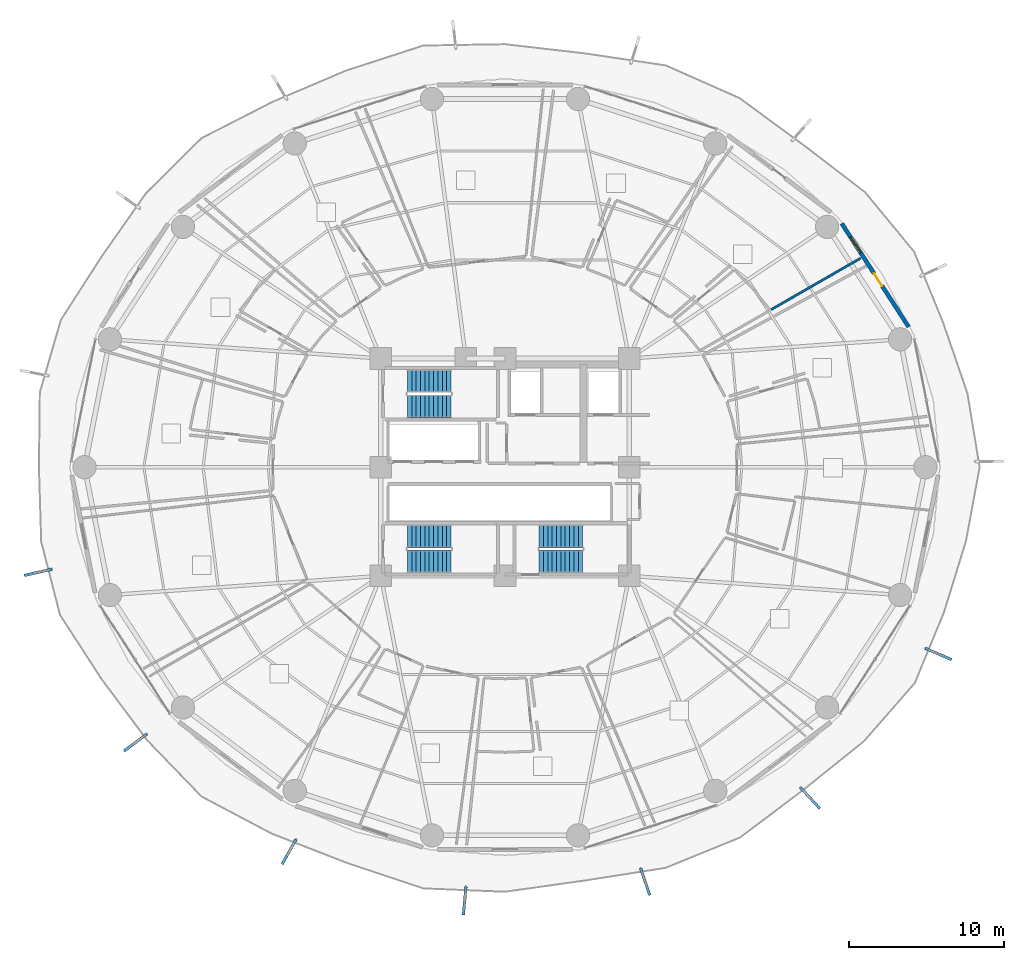
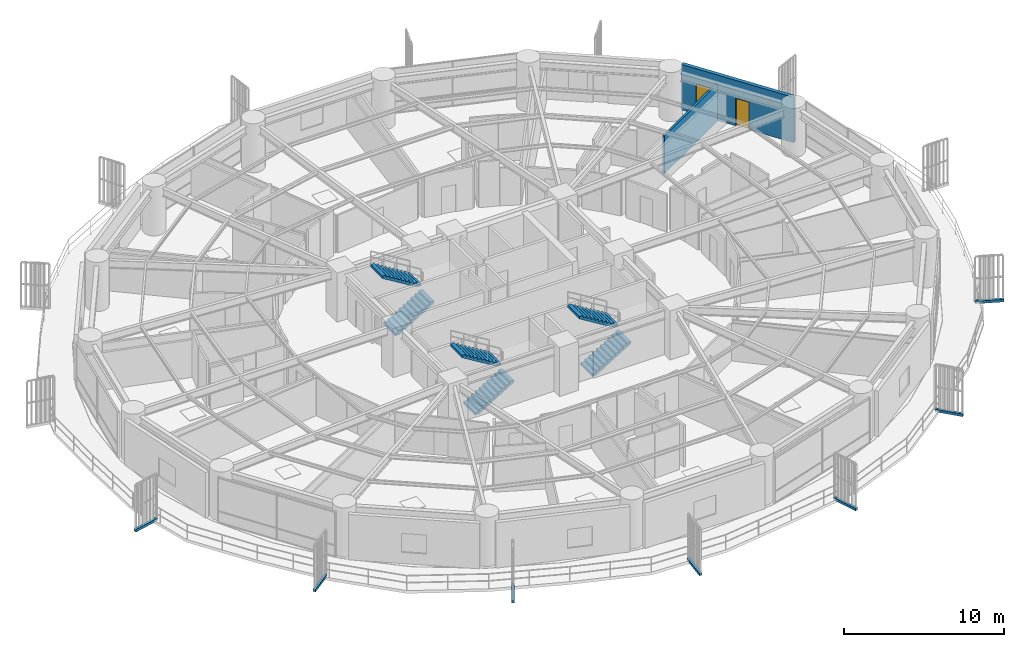
# One storey, part 26 of 32: 7 discrete accessories, 6 stair flights, 2 walls, 1 door, 1 window, 2 openings, 3 elements without a shape of their own.
"""IFC4 building model written with IfcOpenShell, lengths in metres."""

from ifc_helpers import new_model, si_unit, direction, frame, frame_2d, origin, origin_2d, place, context, subcontext, project, spatial, polyline, rectangle, outline, extrude, source, transform, mapped, material, layer, layer_set, type_object, element, fill, aggregate, save


model = new_model("IFC4")

# Units and contexts
model_context = context("Model", 3, precision=1e-05, world=origin(), true_north=direction((0.0, 1.0)))
body_context = subcontext(model_context, "Body", "Model", "MODEL_VIEW")
ifc_project = project(units=[si_unit("LENGTHUNIT", "METRE"), si_unit("AREAUNIT", "SQUARE_METRE"), si_unit("VOLUMEUNIT", "CUBIC_METRE"), si_unit("PLANEANGLEUNIT", "RADIAN"), si_unit("MASSUNIT", "GRAM", prefix="KILO")], contexts=[model_context])

# Site, building, storey
site_placement = place(None, origin())
site = spatial("IfcSite", under=ifc_project, at=site_placement, CompositionType="ELEMENT")
building_placement = place(site_placement, origin())
building = spatial("IfcBuilding", under=site, at=building_placement, Name="Kelanora Arch Commons", CompositionType="ELEMENT")
storey_placement = place(building_placement, frame((0.0, 0.0, 48.75)))
storey = spatial("IfcBuildingStorey", under=building, at=storey_placement, Name="L12", CompositionType="ELEMENT", Elevation=48.75)

# Wall
ifc_material_1 = material(Name="Autoclaved aerated concrete blockwork with fire plaster", Category="masonry")
ifc_layer_1 = layer(ifc_material_1, 0.14990234375)
ifc_layer_set_1 = layer_set([ifc_layer_1], Name="Autoclaved aerated concrete blockwork with fire plaster")
wall_type_1 = type_object("IfcWallType", Name="W-COMP-150", PredefinedType="PARTITIONING", material=ifc_layer_set_1)
wall_1_placement = place(storey_placement, frame((96.9033203125, 71.461181640625, 0.0), z_axis=(0.0, 0.0, 1.0), x_axis=(-0.866924194656, -0.498440007142, 0.0)))
element("IfcWall", 1, at=wall_1_placement, inside=storey, type_object=wall_type_1, Name="Co-Living Studio L12-02 Enclosure Partition 5", PredefinedType="PARTITIONING", context=body_context, shape_type="SweptSolid", body=[
    extrude(rectangle(XDim=6.633544921875, YDim=0.14990234375, at=frame_2d((3.31689453125, 0.0))), origin(), (0.0, 0.0, 1.0), 2.875),
])

# Wall, openings, door, window
ifc_material_2 = material(Name="Precast concrete C40/50 with terracotta rainscreen", Category="masonry")
ifc_layer_2 = layer(ifc_material_2, 0.260009765625)
ifc_layer_set_2 = layer_set([ifc_layer_2], Name="Precast concrete C40/50 with terracotta rainscreen")
wall_type_2 = type_object("IfcWallType", Name="W-EXT-TC", PredefinedType="SOLIDWALL", material=ifc_layer_set_2)
wall_2_placement = place(storey_placement, frame((99.999267578125, 67.033203125, 0.0), z_axis=(0.0, 0.0, 1.0), x_axis=(-0.543005114258, 0.839729388488, 0.0)))
wall_2 = element("IfcWall", 2, at=wall_2_placement, inside=storey, type_object=wall_type_2, Name="Terracotta Exterior Wall L12-B01", PredefinedType="SOLIDWALL", context=body_context, shape_type="SweptSolid", body=[
    extrude(rectangle(XDim=7.9375, YDim=0.260009765625, at=frame_2d((3.96875, 0.0))), origin(), (0.0, 0.0, 1.0), 3.47509765625),
])
opening_1_placement = place(wall_2_placement, frame((3.14404296875, 0.0, 0.0)))
opening_1 = element("IfcOpeningElement", 3, at=opening_1_placement, cuts=wall_2, Name="Opening DB-01", PredefinedType="OPENING", context=body_context, shape_type="SweptSolid", body=[
    extrude(rectangle(XDim=0.949951171875, YDim=2.10009765625, at=frame_2d((0.47509765625, 1.050048828125))), frame((0.0, 0.14013671875, 0.0), z_axis=(0.0, -1.0, 0.0), x_axis=(1.0, 0.0, 0.0)), (0.0, 0.0, 1.0), 0.280029296875),
])
opening_2_placement = place(wall_2_placement, frame((5.7041015625, 0.0, 0.85009765625)))
opening_2 = element("IfcOpeningElement", 4, at=opening_2_placement, cuts=wall_2, Name="Opening WN-02", PredefinedType="OPENING", context=body_context, shape_type="SweptSolid", body=[
    extrude(rectangle(XDim=1.199951171875, YDim=1.449951171875, at=frame_2d((0.60009765625, 0.72509765625))), frame((0.0, 0.14013671875, 0.0), z_axis=(0.0, -1.0, 0.0), x_axis=(1.0, 0.0, 0.0)), (0.0, 0.0, 1.0), 0.280029296875),
])
ifc_material_3 = material(Name="Terracotta-aluminium thermally broken glazed balcony door", Category="masonry")
door_type = type_object("IfcDoorType", Name="D-BAL-10", OperationType="NOTDEFINED", PredefinedType="DOOR", material=ifc_material_3)
door_placement = place(opening_1_placement, frame((0.949951171875, 0.0, 0.0), z_axis=(0.0, 0.0, 1.0), x_axis=(-1.0, 0.0, 0.0)))
door = element("IfcDoor", 5, at=door_placement, inside=storey, type_object=door_type, Name="Wave Balcony Door L12-B01", OperationType="SINGLE_SWING_RIGHT", OverallHeight=2.10009765625, OverallWidth=0.949951171875, PredefinedType="DOOR", context=body_context, shape_type="SweptSolid", body=[
    extrude(rectangle(XDim=0.949951171875, YDim=2.10009765625, at=frame_2d((0.47509765625, 1.050048828125))), frame((0.0, 0.02490234375, 0.0), z_axis=(0.0, -1.0, 0.0), x_axis=(1.0, 0.0, 0.0)), (0.0, 0.0, 1.0), 0.050048828125),
])
fill(opening_1, door)
ifc_material_4 = material(Name="Terracotta-anodised aluminium frame with operable awning sash", Category="masonry")
window_type = type_object("IfcWindowType", Name="WIN-CL-12", PartitioningType="SINGLE_PANEL", PredefinedType="WINDOW", material=ifc_material_4)
window_placement = place(opening_2_placement, origin())
window = element("IfcWindow", 6, at=window_placement, inside=storey, type_object=window_type, Name="Co-Living Operable Window L12-B01", OverallHeight=1.449951171875, OverallWidth=1.199951171875, PartitioningType="SINGLE_PANEL", PredefinedType="WINDOW", context=body_context, shape_type="SweptSolid", body=[
    extrude(rectangle(XDim=1.199951171875, YDim=1.449951171875, at=frame_2d((0.60009765625, 0.72509765625))), frame((0.0, 0.030029296875, 0.0), z_axis=(0.0, -1.0, 0.0), x_axis=(1.0, 0.0, 0.0)), (0.0, 0.0, 1.0), 0.06005859375),
])
fill(opening_2, window)

# Stair, stair flights
ifc_material_5 = material(Name="Concrete C40/50", Category="concrete")
stair_type = type_object("IfcStairType", Name="STR-DL-375", PredefinedType="HALF_TURN_STAIR", material=ifc_material_5)
stair_1_placement = place(storey_placement, origin())
stair_1 = element("IfcStair", 7, at=stair_1_placement, inside=storey, type_object=stair_type, Name="L12 ST-T1", PredefinedType="HALF_TURN_STAIR")
stair_flight_type = type_object("IfcStairFlightType", Name="FLT-DL-375", PredefinedType="STRAIGHT", material=ifc_material_5)
stair_flight_1_placement = place(storey_placement, frame((67.719970703125, 61.919921875, 0.0), z_axis=(0.0, 0.0, 1.0), x_axis=(1.0, 0.0, 0.0)))
stair_flight_1 = element("IfcStairFlight", 8, at=stair_flight_1_placement, type_object=stair_flight_type, Name="ST-T1 flight 1", NumberOfRisers=11, NumberOfTreads=10, PredefinedType="STRAIGHT", RiserHeight=0.170454545, TreadLength=0.28, context=body_context, shape_type="SweptSolid", body=[
    extrude(outline(polyline([(0.0, 0.0), (0.0, 0.17041015625), (0.280029296875, 0.17041015625), (0.280029296875, 0.3408203125), (0.56005859375, 0.3408203125), (0.56005859375, 0.511474609375), (0.840087890625, 0.511474609375), (0.840087890625, 0.681884765625), (1.1201171875, 0.681884765625), (1.1201171875, 0.852294921875), (1.39990234375, 0.852294921875), (1.39990234375, 1.022705078125), (1.679931640625, 1.022705078125), (1.679931640625, 1.193115234375), (1.9599609375, 1.193115234375), (1.9599609375, 1.363525390625), (2.239990234375, 1.363525390625), (2.239990234375, 1.5341796875), (2.52001953125, 1.5341796875), (2.52001953125, 1.70458984375), (2.800048828125, 1.70458984375), (2.800048828125, 1.875), (2.800048828125, 1.529052734375), (0.288330078125, 0.0), (0.0, 0.0)])), frame((0.0, 0.739990234375, 0.0), z_axis=(0.0, -1.0, 0.0), x_axis=(1.0, 0.0, 0.0)), (0.0, 0.0, 1.0), 1.47998046875),
])
stair_flight_2_placement = place(storey_placement, frame((70.52001953125, 63.550048828125, 1.875), z_axis=(0.0, 0.0, 1.0), x_axis=(-1.0, 0.0, 0.0)))
stair_flight_2 = element("IfcStairFlight", 9, at=stair_flight_2_placement, type_object=stair_flight_type, Name="ST-T1 flight 2", NumberOfRisers=11, NumberOfTreads=10, PredefinedType="STRAIGHT", RiserHeight=0.170454545, TreadLength=0.28, context=body_context, shape_type="SweptSolid", body=[
    extrude(outline(polyline([(0.0, 0.0), (0.0, 0.17041015625), (0.280029296875, 0.17041015625), (0.280029296875, 0.3408203125), (0.56005859375, 0.3408203125), (0.56005859375, 0.511474609375), (0.840087890625, 0.511474609375), (0.840087890625, 0.681884765625), (1.1201171875, 0.681884765625), (1.1201171875, 0.852294921875), (1.39990234375, 0.852294921875), (1.39990234375, 1.022705078125), (1.679931640625, 1.022705078125), (1.679931640625, 1.193115234375), (1.9599609375, 1.193115234375), (1.9599609375, 1.363525390625), (2.239990234375, 1.363525390625), (2.239990234375, 1.5341796875), (2.52001953125, 1.5341796875), (2.52001953125, 1.70458984375), (2.800048828125, 1.70458984375), (2.800048828125, 1.875), (2.800048828125, 1.529052734375), (0.288330078125, 0.0), (0.0, 0.0)])), frame((0.0, 0.739990234375, 0.0), z_axis=(0.0, -1.0, 0.0), x_axis=(1.0, 0.0, 0.0)), (0.0, 0.0, 1.0), 1.47998046875),
])
aggregate(stair_1, [stair_flight_1, stair_flight_2])

stair_2_placement = place(storey_placement, origin())
stair_2 = element("IfcStair", 10, at=stair_2_placement, inside=storey, type_object=stair_type, Name="L12 ST-T2", PredefinedType="HALF_TURN_STAIR")
stair_flight_3_placement = place(storey_placement, frame((76.199951171875, 51.919921875, 0.0), z_axis=(0.0, 0.0, 1.0), x_axis=(1.0, 0.0, 0.0)))
stair_flight_3 = element("IfcStairFlight", 11, at=stair_flight_3_placement, type_object=stair_flight_type, Name="ST-T2 flight 1", NumberOfRisers=11, NumberOfTreads=10, PredefinedType="STRAIGHT", RiserHeight=0.170454545, TreadLength=0.28, context=body_context, shape_type="SweptSolid", body=[
    extrude(outline(polyline([(0.0, 0.0), (0.0, 0.17041015625), (0.280029296875, 0.17041015625), (0.280029296875, 0.3408203125), (0.56005859375, 0.3408203125), (0.56005859375, 0.511474609375), (0.840087890625, 0.511474609375), (0.840087890625, 0.681884765625), (1.1201171875, 0.681884765625), (1.1201171875, 0.852294921875), (1.39990234375, 0.852294921875), (1.39990234375, 1.022705078125), (1.679931640625, 1.022705078125), (1.679931640625, 1.193115234375), (1.9599609375, 1.193115234375), (1.9599609375, 1.363525390625), (2.239990234375, 1.363525390625), (2.239990234375, 1.5341796875), (2.52001953125, 1.5341796875), (2.52001953125, 1.70458984375), (2.800048828125, 1.70458984375), (2.800048828125, 1.875), (2.800048828125, 1.529052734375), (0.288330078125, 0.0), (0.0, 0.0)])), frame((0.0, 0.739990234375, 0.0), z_axis=(0.0, -1.0, 0.0), x_axis=(1.0, 0.0, 0.0)), (0.0, 0.0, 1.0), 1.47998046875),
])
stair_flight_4_placement = place(storey_placement, frame((79.0, 53.550048828125, 1.875), z_axis=(0.0, 0.0, 1.0), x_axis=(-1.0, 0.0, 0.0)))
stair_flight_4 = element("IfcStairFlight", 12, at=stair_flight_4_placement, type_object=stair_flight_type, Name="ST-T2 flight 2", NumberOfRisers=11, NumberOfTreads=10, PredefinedType="STRAIGHT", RiserHeight=0.170454545, TreadLength=0.28, context=body_context, shape_type="SweptSolid", body=[
    extrude(outline(polyline([(0.0, 0.0), (0.0, 0.17041015625), (0.280029296875, 0.17041015625), (0.280029296875, 0.3408203125), (0.56005859375, 0.3408203125), (0.56005859375, 0.511474609375), (0.840087890625, 0.511474609375), (0.840087890625, 0.681884765625), (1.1201171875, 0.681884765625), (1.1201171875, 0.852294921875), (1.39990234375, 0.852294921875), (1.39990234375, 1.022705078125), (1.679931640625, 1.022705078125), (1.679931640625, 1.193115234375), (1.9599609375, 1.193115234375), (1.9599609375, 1.363525390625), (2.239990234375, 1.363525390625), (2.239990234375, 1.5341796875), (2.52001953125, 1.5341796875), (2.52001953125, 1.70458984375), (2.800048828125, 1.70458984375), (2.800048828125, 1.875), (2.800048828125, 1.529052734375), (0.288330078125, 0.0), (0.0, 0.0)])), frame((0.0, 0.739990234375, 0.0), z_axis=(0.0, -1.0, 0.0), x_axis=(1.0, 0.0, 0.0)), (0.0, 0.0, 1.0), 1.47998046875),
])
aggregate(stair_2, [stair_flight_3, stair_flight_4])

stair_3_placement = place(storey_placement, origin())
stair_3 = element("IfcStair", 13, at=stair_3_placement, inside=storey, type_object=stair_type, Name="L12 ST-T3", PredefinedType="HALF_TURN_STAIR")
stair_flight_5_placement = place(storey_placement, frame((67.719970703125, 51.919921875, 0.0), z_axis=(0.0, 0.0, 1.0), x_axis=(1.0, 0.0, 0.0)))
stair_flight_5 = element("IfcStairFlight", 14, at=stair_flight_5_placement, type_object=stair_flight_type, Name="ST-T3 flight 1", NumberOfRisers=11, NumberOfTreads=10, PredefinedType="STRAIGHT", RiserHeight=0.170454545, TreadLength=0.28, context=body_context, shape_type="SweptSolid", body=[
    extrude(outline(polyline([(0.0, 0.0), (0.0, 0.17041015625), (0.280029296875, 0.17041015625), (0.280029296875, 0.3408203125), (0.56005859375, 0.3408203125), (0.56005859375, 0.511474609375), (0.840087890625, 0.511474609375), (0.840087890625, 0.681884765625), (1.1201171875, 0.681884765625), (1.1201171875, 0.852294921875), (1.39990234375, 0.852294921875), (1.39990234375, 1.022705078125), (1.679931640625, 1.022705078125), (1.679931640625, 1.193115234375), (1.9599609375, 1.193115234375), (1.9599609375, 1.363525390625), (2.239990234375, 1.363525390625), (2.239990234375, 1.5341796875), (2.52001953125, 1.5341796875), (2.52001953125, 1.70458984375), (2.800048828125, 1.70458984375), (2.800048828125, 1.875), (2.800048828125, 1.529052734375), (0.288330078125, 0.0), (0.0, 0.0)])), frame((0.0, 0.739990234375, 0.0), z_axis=(0.0, -1.0, 0.0), x_axis=(1.0, 0.0, 0.0)), (0.0, 0.0, 1.0), 1.47998046875),
])
stair_flight_6_placement = place(storey_placement, frame((70.52001953125, 53.550048828125, 1.875), z_axis=(0.0, 0.0, 1.0), x_axis=(-1.0, 0.0, 0.0)))
stair_flight_6 = element("IfcStairFlight", 15, at=stair_flight_6_placement, type_object=stair_flight_type, Name="ST-T3 flight 2", NumberOfRisers=11, NumberOfTreads=10, PredefinedType="STRAIGHT", RiserHeight=0.170454545, TreadLength=0.28, context=body_context, shape_type="SweptSolid", body=[
    extrude(outline(polyline([(0.0, 0.0), (0.0, 0.17041015625), (0.280029296875, 0.17041015625), (0.280029296875, 0.3408203125), (0.56005859375, 0.3408203125), (0.56005859375, 0.511474609375), (0.840087890625, 0.511474609375), (0.840087890625, 0.681884765625), (1.1201171875, 0.681884765625), (1.1201171875, 0.852294921875), (1.39990234375, 0.852294921875), (1.39990234375, 1.022705078125), (1.679931640625, 1.022705078125), (1.679931640625, 1.193115234375), (1.9599609375, 1.193115234375), (1.9599609375, 1.363525390625), (2.239990234375, 1.363525390625), (2.239990234375, 1.5341796875), (2.52001953125, 1.5341796875), (2.52001953125, 1.70458984375), (2.800048828125, 1.70458984375), (2.800048828125, 1.875), (2.800048828125, 1.529052734375), (0.288330078125, 0.0), (0.0, 0.0)])), frame((0.0, 0.739990234375, 0.0), z_axis=(0.0, -1.0, 0.0), x_axis=(1.0, 0.0, 0.0)), (0.0, 0.0, 1.0), 1.47998046875),
])
aggregate(stair_3, [stair_flight_5, stair_flight_6])

# Discrete accessories
ifc_material_6 = material(Name="Stainless steel 316 marine fin bracket", Category="steel")
discrete_accessory_type = type_object("IfcDiscreteAccessoryType", Name="ACC-FIN-BRK", PredefinedType="BRACKET", material=ifc_material_6)
shared_shape = source(origin(), body_context, "Body", "SweptSolid", [
    extrude(rectangle(XDim=1.827392578125, YDim=0.179931640625, at=origin_2d()), origin(), (0.0, 0.0, 1.0), 0.199951171875),
])
for number, where, z_axis, x_axis, name in (
    (16, (43.91650390625, 51.2275390625, -0.16015625), (0.0, 0.0, 1.0), (-0.975572899489, -0.219675938108, 0.0), "Sweeping Fin Cantilever Spine Bracket L12-07"),
    (17, (50.197509765625, 40.2666015625, -0.16015625), (0.0, 0.0, 1.0), (-0.801879937297, -0.597485201625, 0.0), "Sweeping Fin Cantilever Spine Bracket L12-08"),
    (18, (60.09033203125, 33.226318359375, -0.16015625), (0.0, 0.0, 1.0), (-0.489534649095, -0.871983845799, 0.0), "Sweeping Fin Cantilever Spine Bracket L12-09"),
    (19, (71.40234375, 30.06787109375, -0.16015625), (0.0, 0.0, 1.0), (-0.092544372783, -0.99570856131, 0.0), "Sweeping Fin Cantilever Spine Bracket L12-10"),
    (20, (83.03271484375, 31.294189453125, -0.16015625), (0.0, 0.0, 1.0), (0.320447666323, -0.947266220842, 0.0), "Sweeping Fin Cantilever Spine Bracket L12-11"),
    (21, (93.65771484375, 36.6875, -0.16015625), (0.0, 0.0, 1.0), (0.678031392746, -0.735032945147, 0.0), "Sweeping Fin Cantilever Spine Bracket L12-12"),
    (22, (101.916259765625, 45.969970703125, -0.16015625), (0.0, 0.0, 1.0), (0.918377331641, -0.395705795671, 0.0), "Sweeping Fin Cantilever Spine Bracket L12-13"),
):
    element("IfcDiscreteAccessory", number, at=place(storey_placement, frame(where, z_axis=z_axis, x_axis=x_axis)), inside=storey, type_object=discrete_accessory_type, Name=name, PredefinedType="BRACKET", context=body_context, shape_type="MappedRepresentation", body=[
        mapped(shared_shape, transform((0.0, 0.0, 0.0), scale=1.0)),
    ])

save(model, "model.ifc")
